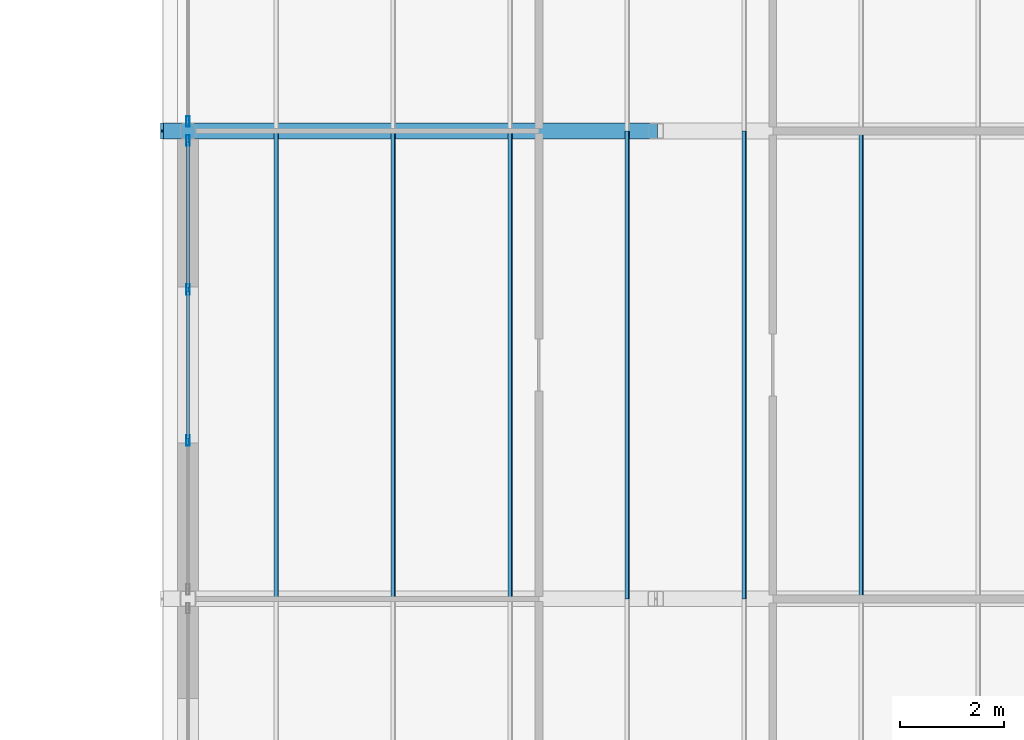
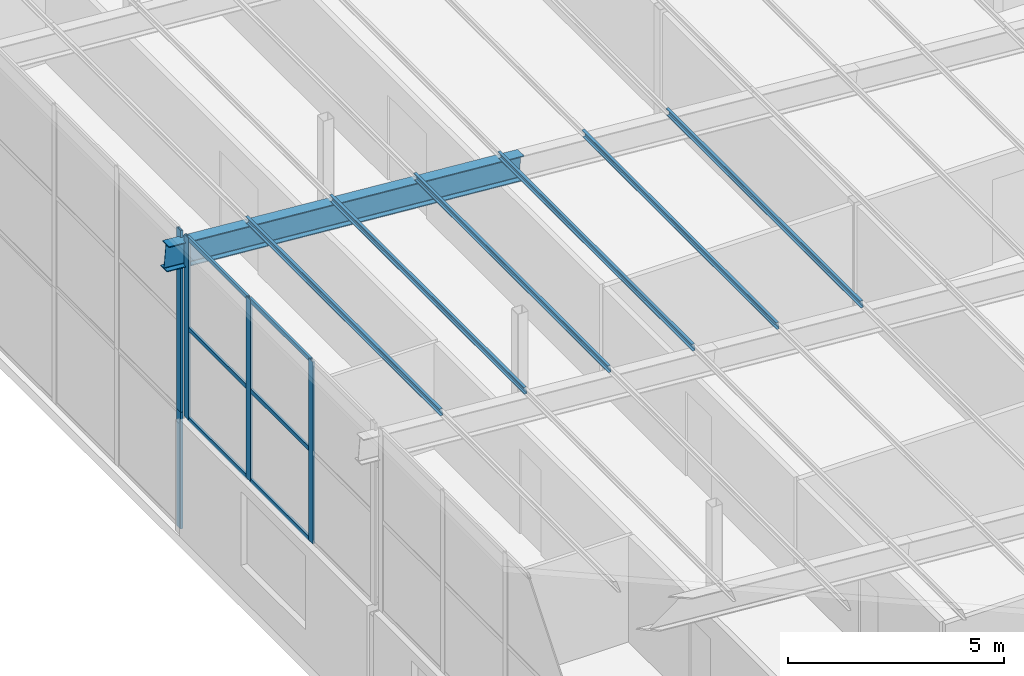
# One storey, part 29 of 85: 18 members, 3 elements without a shape of their own.
"""IFC4 building model written with IfcOpenShell, lengths in metres."""

import ifcopenshell
import ifcopenshell.guid

model = None  # the IFC model being written
_history = None  # IfcOwnerHistory: only IFC2X3 demands one
_inside = {}  # id of a spatial element -> (the spatial element, [elements in it])
_under = {}  # id of a project, library or spatial element -> (it, [spatial elements below it])
_declared = {}  # id of a project -> (the project, [libraries it declares])
_typed = {}  # id of a type object -> (the type object, [elements of that type])
_made_of = {}  # id of a material, layer set ... -> (it, [elements and type objects made of it])


def new_model(schema):
    """Start an empty IFC model of exactly this schema.

    Asked for "IFC4X3", IfcOpenShell would pick the latest addendum, in which some entities
    have other attributes; the version numbers below select the first issue.
    IFC2X3 requires an IfcOwnerHistory on every rooted entity: one is made here for all.
    """
    global model, _history
    if schema == "IFC4X3":
        model = ifcopenshell.file(schema_version=(4, 3, 0, 0))
    else:
        model = ifcopenshell.file(schema=schema)
    _inside.clear()
    _under.clear()
    _declared.clear()
    _typed.clear()
    _made_of.clear()
    _history = None
    if model.schema == "IFC2X3":
        org = make("IfcOrganization", Name="unknown")
        user = make(
            "IfcPersonAndOrganization",
            ThePerson=make("IfcPerson", FamilyName="unknown"),
            TheOrganization=org,
        )
        app = make(
            "IfcApplication",
            ApplicationDeveloper=org,
            Version="unknown",
            ApplicationFullName="unknown",
            ApplicationIdentifier="unknown",
        )
        _history = make(
            "IfcOwnerHistory",
            OwningUser=user,
            OwningApplication=app,
            ChangeAction="ADDED",
            CreationDate=0,
        )
    return model


def make(cls, **values):
    """One entity of the class cls with the attributes given. An attribute that is None is left unset."""
    return model.create_entity(
        cls, **{name: value for name, value in values.items() if value is not None}
    )


def rooted(cls, **values):
    """An entity with a GlobalId (a new one), such as an element, a storey or a relation."""
    return make(cls, GlobalId=ifcopenshell.guid.new(), OwnerHistory=_history, **values)


def si_unit(unit_type, name, prefix=None):
    """IfcSIUnit, for example si_unit("LENGTHUNIT", "METRE", prefix="MILLI")."""
    return make("IfcSIUnit", UnitType=unit_type, Prefix=prefix, Name=name)


def assignment(units):
    """IfcUnitAssignment: the units of a project."""
    return None if units is None else make("IfcUnitAssignment", Units=units)


def point(xyz):
    """IfcCartesianPoint."""
    return None if xyz is None else make("IfcCartesianPoint", Coordinates=xyz)


def direction(xyz):
    """IfcDirection."""
    return None if xyz is None else make("IfcDirection", DirectionRatios=xyz)


def frame(location, z_axis=None, x_axis=None):
    """IfcAxis2Placement3D, a coordinate frame: its origin and axes. An axis left out is left unset."""
    return make(
        "IfcAxis2Placement3D",
        Location=point(location),
        Axis=direction(z_axis),
        RefDirection=direction(x_axis),
    )


def frame_2d(location, x_axis=None):
    """IfcAxis2Placement2D, a coordinate frame in the plane: its origin and x axis."""
    return make(
        "IfcAxis2Placement2D", Location=point(location), RefDirection=direction(x_axis)
    )


def origin():
    """The frame at (0, 0, 0) with its axes left unset."""
    return frame((0.0, 0.0, 0.0))


def origin_2d():
    """The frame at (0, 0) in the plane with its x axis left unset."""
    return frame_2d((0.0, 0.0))


def place(relative_to, where):
    """IfcLocalPlacement: puts the frame where relative to a parent placement (None: the world)."""
    return make(
        "IfcLocalPlacement", PlacementRelTo=relative_to, RelativePlacement=where
    )


def context(
    kind, dimensions, precision=None, world=None, true_north=None, identifier=None
):
    """IfcGeometricRepresentationContext, for example the 3D "Model" context."""
    return make(
        "IfcGeometricRepresentationContext",
        ContextIdentifier=identifier,
        ContextType=kind,
        CoordinateSpaceDimension=dimensions,
        Precision=precision,
        WorldCoordinateSystem=world,
        TrueNorth=true_north,
    )


def subcontext(parent, identifier, kind, view, scale=None):
    """IfcGeometricRepresentationSubContext, for example "Body" below "Model"."""
    return make(
        "IfcGeometricRepresentationSubContext",
        ContextIdentifier=identifier,
        ContextType=kind,
        ParentContext=parent,
        TargetScale=scale,
        TargetView=view,
    )


def project(units=None, contexts=None):
    """IfcProject with its units and contexts."""
    return rooted(
        "IfcProject",
        Name="project",
        RepresentationContexts=contexts,
        UnitsInContext=assignment(units),
    )


def spatial(cls, under=None, at=None, **own):
    """A site, building, storey or space (cls), placed at a placement, below another one or the project."""
    s = rooted(cls, ObjectPlacement=at, **own)
    if under is not None:
        _under.setdefault(under.id(), (under, []))[1].append(s)
    return s


def polyline(points):
    """IfcPolyline through the points."""
    return make("IfcPolyline", Points=[point(p) for p in points])


def profile(cls, at=None, kind="AREA", **sizes):
    """A parametric profile (cls). Its sizes go by their IFC names, for example OverallWidth=200.0."""
    return make(cls, ProfileType=kind, Position=at, **sizes)


def hollow_rectangle(**sizes):
    """IfcRectangleHollowProfileDef."""
    return profile("IfcRectangleHollowProfileDef", **sizes)


def i_section(**sizes):
    """IfcIShapeProfileDef."""
    return profile("IfcIShapeProfileDef", **sizes)


def outline(outer, holes=None, kind="AREA"):
    """IfcArbitraryClosedProfileDef: a profile drawn as a closed curve; with holes, ...WithVoids."""
    if holes is None:
        return make("IfcArbitraryClosedProfileDef", ProfileType=kind, OuterCurve=outer)
    return make(
        "IfcArbitraryProfileDefWithVoids",
        ProfileType=kind,
        OuterCurve=outer,
        InnerCurves=holes,
    )


def extrude(swept, where, along, depth):
    """IfcExtrudedAreaSolid: the profile swept, set in the frame where, extruded along a direction by depth."""
    return make(
        "IfcExtrudedAreaSolid",
        SweptArea=swept,
        Position=where,
        ExtrudedDirection=direction(along),
        Depth=depth,
    )


def shape(context_of_items, identifier, shape_type, items):
    """IfcShapeRepresentation: the items that make up one representation, for example the "Body"."""
    return make(
        "IfcShapeRepresentation",
        ContextOfItems=context_of_items,
        RepresentationIdentifier=identifier,
        RepresentationType=shape_type,
        Items=items,
    )


def material(Name=None, Category=None):
    """IfcMaterial."""
    return make("IfcMaterial", Name=Name, Category=Category)


def layer(
    of_material, thickness, ventilated=None, Name=None, Category=None, Priority=None
):
    """IfcMaterialLayer: one layer of a wall or slab, of a material (None: an air gap)."""
    return make(
        "IfcMaterialLayer",
        Material=of_material,
        LayerThickness=thickness,
        IsVentilated=ventilated,
        Name=Name,
        Category=Category,
        Priority=Priority,
    )


def layer_set(layers, Name=None):
    """IfcMaterialLayerSet."""
    return make("IfcMaterialLayerSet", MaterialLayers=layers, LayerSetName=Name)


def material_profile(
    of_material, cross_section, Name=None, Category=None, Priority=None
):
    """IfcMaterialProfile: a cross section and its material."""
    return make(
        "IfcMaterialProfile",
        Name=Name,
        Material=of_material,
        Profile=cross_section,
        Priority=Priority,
        Category=Category,
    )


def profile_set(profiles, Name=None, composite=None):
    """IfcMaterialProfileSet."""
    return make(
        "IfcMaterialProfileSet",
        Name=Name,
        MaterialProfiles=profiles,
        CompositeProfile=composite,
    )


def made_of(thing, what):
    """Note that an element or type object is made of a material, layer set ...; save() writes the relation."""
    if what is not None:
        _made_of.setdefault(what.id(), (what, []))[1].append(thing)
    return thing


def type_object(cls, material=None, **own):
    """A type object (cls), such as IfcWallType, which elements share."""
    return made_of(rooted(cls, **own), material)


def element(
    cls,
    number,
    at=None,
    inside=None,
    cuts=None,
    type_object=None,
    material=None,
    context=None,
    identifier="Body",
    shape_type=None,
    held_by="IfcProductDefinitionShape",
    body=None,
    shapes=None,
    **own,
):
    """One element of the class cls, such as IfcWall. Its Tag is "e" and its number.

    at: its placement. inside: the storey or other place that contains it. cuts: it is an
    opening in that element (IfcRelVoidsElement). A single representation is given by context,
    identifier, shape_type and body (its items); several are given by shapes. held_by: the class
    of the entity that holds the representations. save() writes the other relations.
    """
    e = rooted(cls, Tag="e%d" % number, ObjectPlacement=at, **own)
    if body is not None:
        shapes = [shape(context, identifier, shape_type, body)]
    if shapes is not None:
        e.Representation = make(held_by, Representations=shapes)
    if inside is not None:
        _inside.setdefault(inside.id(), (inside, []))[1].append(e)
    if cuts is not None:
        rooted(
            "IfcRelVoidsElement", RelatingBuildingElement=cuts, RelatedOpeningElement=e
        )
    if type_object is not None:
        _typed.setdefault(type_object.id(), (type_object, []))[1].append(e)
    return made_of(e, material)


def aggregate(whole, parts):
    """IfcRelAggregates: a whole, such as a stair, and the parts it consists of."""
    return rooted("IfcRelAggregates", RelatingObject=whole, RelatedObjects=parts)


def save(model, path):
    """Write the relations noted so far, then the file.

    IfcRelAggregates (storeys below a building ...), IfcRelContainedInSpatialStructure (elements
    in a storey), IfcRelDefinesByType, IfcRelAssociatesMaterial and IfcRelDeclares: one each for
    every whole, place, type object, material and project.
    """
    for whole, parts in _under.values():
        aggregate(whole, parts)
    for where, things in _inside.values():
        rooted(
            "IfcRelContainedInSpatialStructure",
            RelatedElements=things,
            RelatingStructure=where,
        )
    for kind, things in _typed.values():
        rooted("IfcRelDefinesByType", RelatedObjects=things, RelatingType=kind)
    for what, things in _made_of.values():
        rooted("IfcRelAssociatesMaterial", RelatedObjects=things, RelatingMaterial=what)
    for by, libraries in _declared.values():
        rooted("IfcRelDeclares", RelatingContext=by, RelatedDefinitions=libraries)
    model.write(path)


model = new_model("IFC4")

# Units and contexts
model_context = context("Model", 3, precision=1e-05, world=origin(), true_north=direction((0.0, 1.0)))
body_context = subcontext(model_context, "Body", "Model", "MODEL_VIEW")
ifc_project = project(units=[si_unit("LENGTHUNIT", "METRE"), si_unit("AREAUNIT", "SQUARE_METRE"), si_unit("VOLUMEUNIT", "CUBIC_METRE"), si_unit("PLANEANGLEUNIT", "RADIAN"), si_unit("MASSUNIT", "GRAM", prefix="KILO")], contexts=[model_context])

# Site, building, storey
site_placement = place(None, origin())
site = spatial("IfcSite", under=ifc_project, at=site_placement, CompositionType="ELEMENT")
building_placement = place(site_placement, origin())
building = spatial("IfcBuilding", under=site, at=building_placement, Name="Opaline Strait Convention Centre", CompositionType="ELEMENT")
storey_placement = place(building_placement, frame((0.0, 0.0, 17.0)))
storey = spatial("IfcBuildingStorey", under=building, at=storey_placement, Name="L03", CompositionType="ELEMENT", Elevation=17.0)

# Curtain wall, member
ifc_material_1 = material(Name="Aluminium framed double glazing", Category="aluminium")
ifc_layer = layer(ifc_material_1, 0.199951171875)
ifc_layer_set = layer_set([ifc_layer], Name="Aluminium framed double glazing")
curtain_wall_type = type_object("IfcCurtainWallType", Name="Curtain wall 3000 module unitised", PredefinedType="NOTDEFINED", material=ifc_layer_set)
curtain_wall_1_placement = place(storey_placement, origin())
curtain_wall_1 = element("IfcCurtainWall", 1, at=curtain_wall_1_placement, inside=storey, type_object=curtain_wall_type, Name="Curtain wall W L03 32/P", PredefinedType="NOTDEFINED")
ifc_material_2 = material(Name="Aluminium alloy 6063", Category="aluminium")
ifc_material_profile_1 = material_profile(ifc_material_2, hollow_rectangle(XDim=0.06005859375, YDim=0.199951171875, WallThickness=0.00390625, at=origin_2d()), Name="MULLION 60x200x4")
ifc_profile_set_1 = profile_set([ifc_material_profile_1], Name="Aluminium alloy 6063")
member_type_1 = type_object("IfcMemberType", Name="Curtain wall mullion 60 x 200", PredefinedType="MULLION", material=ifc_profile_set_1)
member_1_placement = place(storey_placement, frame((279.0, 117.179931640625, 0.0), z_axis=(0.0, 0.0, 1.0), x_axis=(-1.0, 0.0, 0.0)))
member_1 = element("IfcMember", 2, at=member_1_placement, type_object=member_type_1, Name="MCWR1 mullion 1", PredefinedType="MULLION", context=body_context, shape_type="SweptSolid", body=[
    extrude(hollow_rectangle(XDim=0.06005859375, YDim=0.199951171875, WallThickness=0.00390625, at=origin_2d()), origin(), (0.0, 0.0, 1.0), 3.300048828125),
])
aggregate(curtain_wall_1, [member_1])

# Curtain wall, members
curtain_wall_2_placement = place(storey_placement, origin())
curtain_wall_2 = element("IfcCurtainWall", 3, at=curtain_wall_2_placement, inside=storey, type_object=curtain_wall_type, Name="Clerestory curtain wall W L03 32/N", PredefinedType="NOTDEFINED")
member_2_placement = place(storey_placement, frame((279.0, 111.050048828125, 3.300048828125), z_axis=(0.0, 0.0, 1.0), x_axis=(-1.0, 0.0, 0.0)))
member_2 = element("IfcMember", 4, at=member_2_placement, type_object=member_type_1, Name="MCWR1 mullion 2", PredefinedType="MULLION", context=body_context, shape_type="SweptSolid", body=[
    extrude(hollow_rectangle(XDim=0.06005859375, YDim=0.199951171875, WallThickness=0.00390625, at=origin_2d()), origin(), (0.0, 0.0, 1.0), 5.144287109375),
])
member_3_placement = place(storey_placement, frame((279.0, 113.949951171875, 3.300048828125), z_axis=(0.0, 0.0, 1.0), x_axis=(-1.0, 0.0, 0.0)))
member_3 = element("IfcMember", 5, at=member_3_placement, type_object=member_type_1, Name="MCWR1 mullion 3", PredefinedType="MULLION", context=body_context, shape_type="SweptSolid", body=[
    extrude(hollow_rectangle(XDim=0.06005859375, YDim=0.199951171875, WallThickness=0.00390625, at=origin_2d()), origin(), (0.0, 0.0, 1.0), 5.144287109375),
])
member_4_placement = place(storey_placement, frame((279.0, 116.820068359375, 3.300048828125), z_axis=(0.0, 0.0, 1.0), x_axis=(-1.0, 0.0, 0.0)))
member_4 = element("IfcMember", 6, at=member_4_placement, type_object=member_type_1, Name="MCWR1 mullion 4", PredefinedType="MULLION", context=body_context, shape_type="SweptSolid", body=[
    extrude(hollow_rectangle(XDim=0.06005859375, YDim=0.199951171875, WallThickness=0.00390625, at=origin_2d()), origin(), (0.0, 0.0, 1.0), 5.144287109375),
])

# Curtain wall, member
curtain_wall_3_placement = place(storey_placement, origin())
curtain_wall_3 = element("IfcCurtainWall", 7, at=curtain_wall_3_placement, inside=storey, type_object=curtain_wall_type, Name="Clerestory curtain wall W L03 32/P", PredefinedType="NOTDEFINED")
member_5_placement = place(storey_placement, frame((279.0, 117.179931640625, 3.300048828125), z_axis=(0.0, 0.0, 1.0), x_axis=(-1.0, 0.0, 0.0)))
member_5 = element("IfcMember", 8, at=member_5_placement, type_object=member_type_1, Name="MCWR1 mullion 1", PredefinedType="MULLION", context=body_context, shape_type="SweptSolid", body=[
    extrude(hollow_rectangle(XDim=0.06005859375, YDim=0.199951171875, WallThickness=0.00390625, at=origin_2d()), origin(), (0.0, 0.0, 1.0), 5.144287109375),
])
aggregate(curtain_wall_3, [member_5])

# Member
ifc_material_profile_2 = material_profile(ifc_material_2, hollow_rectangle(XDim=0.06005859375, YDim=0.1201171875, WallThickness=0.0029296875, at=origin_2d()), Name="TRANSOM 60x120x3")
ifc_profile_set_2 = profile_set([ifc_material_profile_2], Name="Aluminium alloy 6063")
member_type_2 = type_object("IfcMemberType", Name="Curtain wall transom 60 x 120", PredefinedType="USERDEFINED", material=ifc_profile_set_2)
member_6_placement = place(storey_placement, frame((279.0, 111.080078125, 3.330078125), z_axis=(0.0, 1.0, 0.0), x_axis=(-1.0, 0.0, 0.0)))
member_6 = element("IfcMember", 9, at=member_6_placement, type_object=member_type_2, Name="MCWR1 transom 2.1", ObjectType="TRANSOM", PredefinedType="USERDEFINED", context=body_context, shape_type="SweptSolid", body=[
    extrude(hollow_rectangle(XDim=0.06005859375, YDim=0.1201171875, WallThickness=0.0029296875, at=origin_2d()), origin(), (0.0, 0.0, 1.0), 2.83984375),
])

member_7_placement = place(storey_placement, frame((279.0, 111.080078125, 5.872314453125), z_axis=(0.0, 1.0, 0.0), x_axis=(-1.0, 0.0, 0.0)))
member_7 = element("IfcMember", 10, at=member_7_placement, type_object=member_type_2, Name="MCWR1 transom 2.2", ObjectType="TRANSOM", PredefinedType="USERDEFINED", context=body_context, shape_type="SweptSolid", body=[
    extrude(hollow_rectangle(XDim=0.06005859375, YDim=0.1201171875, WallThickness=0.0029296875, at=origin_2d()), origin(), (0.0, 0.0, 1.0), 2.83984375),
])

member_8_placement = place(storey_placement, frame((279.0, 111.080078125, 8.414306640625), z_axis=(0.0, 1.0, 0.0), x_axis=(-1.0, 0.0, 0.0)))
member_8 = element("IfcMember", 11, at=member_8_placement, type_object=member_type_2, Name="MCWR1 transom 2.3", ObjectType="TRANSOM", PredefinedType="USERDEFINED", context=body_context, shape_type="SweptSolid", body=[
    extrude(hollow_rectangle(XDim=0.06005859375, YDim=0.1201171875, WallThickness=0.0029296875, at=origin_2d()), origin(), (0.0, 0.0, 1.0), 2.83984375),
])

member_9_placement = place(storey_placement, frame((279.0, 113.97998046875, 3.330078125), z_axis=(0.0, 1.0, 0.0), x_axis=(-1.0, 0.0, 0.0)))
member_9 = element("IfcMember", 12, at=member_9_placement, type_object=member_type_2, Name="MCWR1 transom 3.1", ObjectType="TRANSOM", PredefinedType="USERDEFINED", context=body_context, shape_type="SweptSolid", body=[
    extrude(hollow_rectangle(XDim=0.06005859375, YDim=0.1201171875, WallThickness=0.0029296875, at=origin_2d()), origin(), (0.0, 0.0, 1.0), 2.81005859375),
])

member_10_placement = place(storey_placement, frame((279.0, 113.97998046875, 5.872314453125), z_axis=(0.0, 1.0, 0.0), x_axis=(-1.0, 0.0, 0.0)))
member_10 = element("IfcMember", 13, at=member_10_placement, type_object=member_type_2, Name="MCWR1 transom 3.2", ObjectType="TRANSOM", PredefinedType="USERDEFINED", context=body_context, shape_type="SweptSolid", body=[
    extrude(hollow_rectangle(XDim=0.06005859375, YDim=0.1201171875, WallThickness=0.0029296875, at=origin_2d()), origin(), (0.0, 0.0, 1.0), 2.81005859375),
])

member_11_placement = place(storey_placement, frame((279.0, 113.97998046875, 8.414306640625), z_axis=(0.0, 1.0, 0.0), x_axis=(-1.0, 0.0, 0.0)))
member_11 = element("IfcMember", 14, at=member_11_placement, type_object=member_type_2, Name="MCWR1 transom 3.3", ObjectType="TRANSOM", PredefinedType="USERDEFINED", context=body_context, shape_type="SweptSolid", body=[
    extrude(hollow_rectangle(XDim=0.06005859375, YDim=0.1201171875, WallThickness=0.0029296875, at=origin_2d()), origin(), (0.0, 0.0, 1.0), 2.81005859375),
])

aggregate(curtain_wall_2, [member_2, member_3, member_4, member_6, member_7, member_8, member_9, member_10, member_11])

# Members
ifc_material_3 = material(Name="Steel Q355B", Category="steel")
ifc_material_profile_3 = material_profile(ifc_material_3, outline(polyline([(-0.034912109375, -0.10009765625), (0.034912109375, -0.10009765625), (0.034912109375, -0.080078125), (0.032470703125, -0.080078125), (0.032470703125, -0.097412109375), (-0.032470703125, -0.097412109375), (-0.032470703125, 0.097412109375), (0.032470703125, 0.097412109375), (0.032470703125, 0.080078125), (0.034912109375, 0.080078125), (0.034912109375, 0.10009765625), (-0.034912109375, 0.10009765625), (-0.034912109375, -0.10009765625)])), Name="C 200x70x20x2.5")
ifc_profile_set_3 = profile_set([ifc_material_profile_3], Name="Steel Q355B")
member_type_3 = type_object("IfcMemberType", Name="Roof purlin C 200x70x20x2.5", PredefinedType="PURLIN", material=ifc_profile_set_3)
for number, where, z_axis, x_axis, name in (
    (15, (291.949951171875, 108.0, 7.324951171875), (0.0, 1.0, 0.0), (-0.996917333733, 0.0, -0.078459095728), "MRP1 purlin W wing 153"),
    (16, (289.699951171875, 108.0, 7.501953125), (0.0, 1.0, 0.0), (-0.996917333733, 0.0, -0.078459095728), "MRP1 purlin W wing 163"),
    (17, (287.449951171875, 108.0, 7.678955078125), (0.0, 1.0, 0.0), (-0.996917333733, 0.0, -0.078459095728), "MRP1 purlin W wing 173"),
    (18, (285.199951171875, 108.0, 7.856201171875), (0.0, 1.0, 0.0), (-0.996917333733, 0.0, -0.078459095728), "MRP1 purlin W wing 183"),
    (19, (282.949951171875, 108.0, 8.033203125), (0.0, 1.0, 0.0), (-0.996917333733, 0.0, -0.078459095728), "MRP1 purlin W wing 193"),
    (20, (280.699951171875, 108.0, 8.210205078125), (0.0, 1.0, 0.0), (-0.996917333733, 0.0, -0.078459095728), "MRP1 purlin W wing 203"),
):
    element("IfcMember", number, at=place(storey_placement, frame(where, z_axis=z_axis, x_axis=x_axis)), inside=storey, type_object=member_type_3, Name=name, PredefinedType="PURLIN", context=body_context, shape_type="SweptSolid", body=[
        extrude(outline(polyline([(-0.034912109375, -0.10009765625), (0.034912109375, -0.10009765625), (0.034912109375, -0.080078125), (0.032470703125, -0.080078125), (0.032470703125, -0.097412109375), (-0.032470703125, -0.097412109375), (-0.032470703125, 0.097412109375), (0.032470703125, 0.097412109375), (0.032470703125, 0.080078125), (0.034912109375, 0.080078125), (0.034912109375, 0.10009765625), (-0.034912109375, 0.10009765625), (-0.034912109375, -0.10009765625)])), origin(), (0.0, 0.0, 1.0), 9.0),
    ])
ifc_material_profile_4 = material_profile(ifc_material_3, i_section(OverallWidth=0.300048828125, OverallDepth=0.699951171875, WebThickness=0.012939453125, FlangeThickness=0.02392578125, FilletRadius=0.01806640625, at=origin_2d()), Name="HN 700x300x13x24")
ifc_profile_set_4 = profile_set([ifc_material_profile_4], Name="Steel Q355B")
member_type_4 = type_object("IfcMemberType", Name="Roof rafter HN 700x300x13x24", PredefinedType="RAFTER", material=ifc_profile_set_4)
member_12_placement = place(storey_placement, frame((278.5, 117.0, 7.93212890625), z_axis=(0.996916213079, 0.0, -0.078473333693), x_axis=(0.0, 1.0, 0.0)))
element("IfcMember", 21, at=member_12_placement, inside=storey, type_object=member_type_4, Name="MRR1 rafter y 117", PredefinedType="RAFTER", context=body_context, shape_type="SweptSolid", body=[
    extrude(i_section(OverallWidth=0.300048828125, OverallDepth=0.699951171875, WebThickness=0.012939453125, FlangeThickness=0.02392578125, FilletRadius=0.01806640625, at=origin_2d()), origin(), (0.0, 0.0, 1.0), 9.529296875),
])

save(model, "model.ifc")
